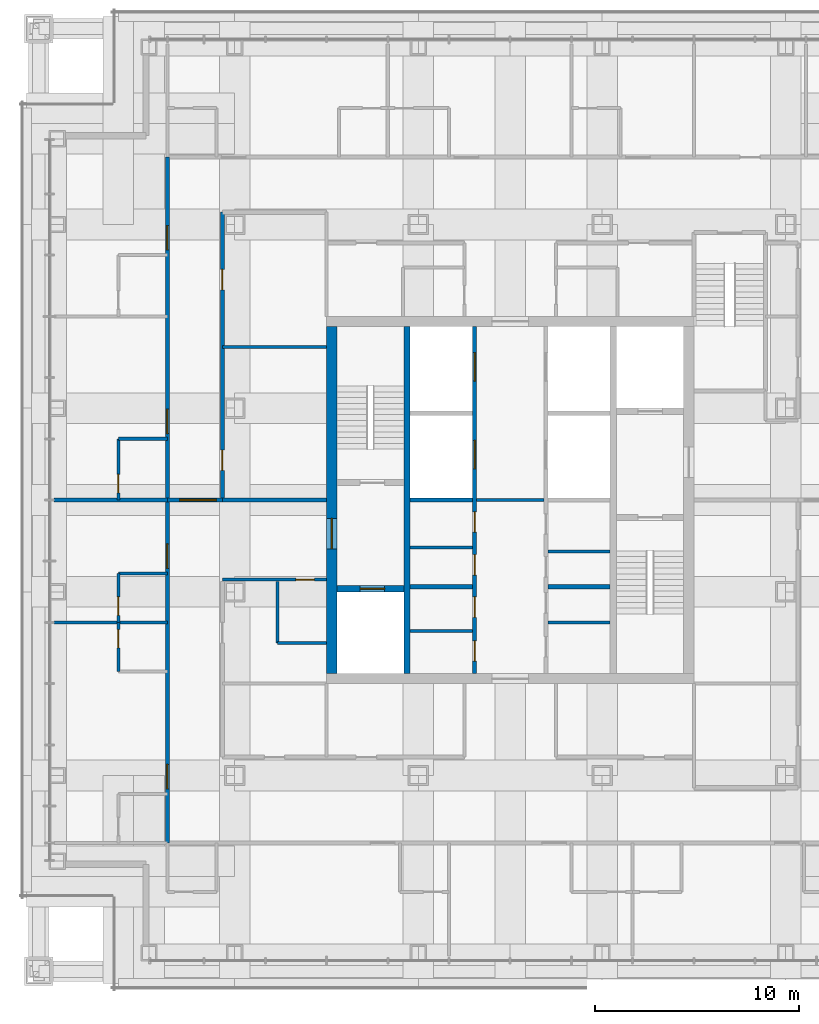
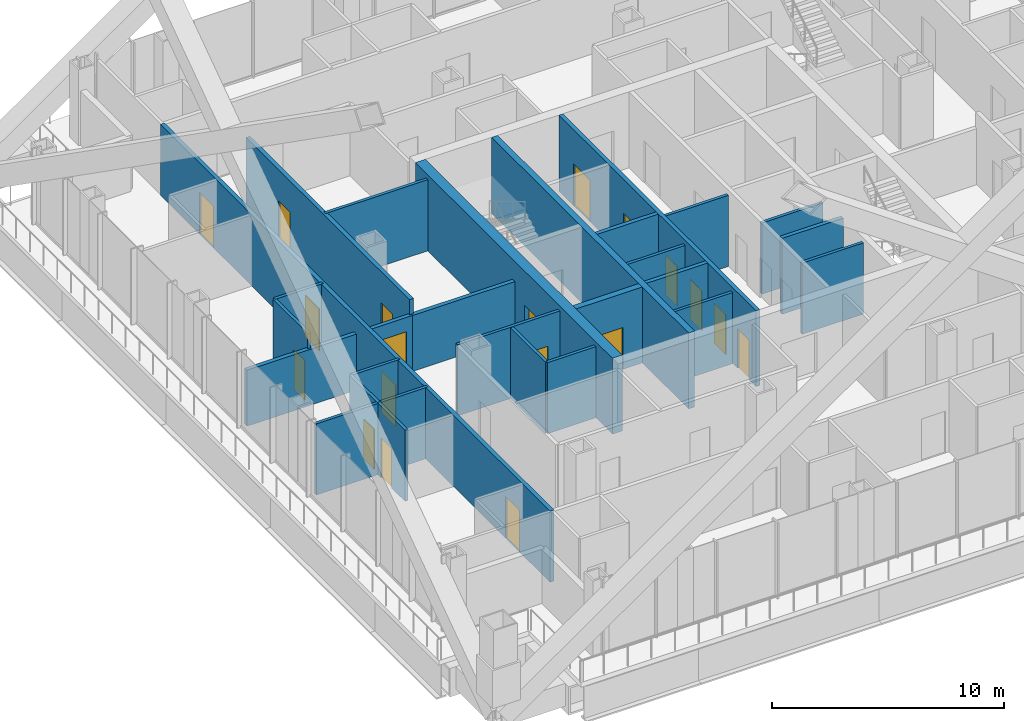
# One storey, part 12 of 18: 27 walls, 19 doors, 19 openings.
"""IFC4 building model written with IfcOpenShell, lengths in metres."""

from ifc_helpers import new_model, si_unit, direction, frame, frame_2d, origin, place, context, subcontext, project, spatial, rectangle, extrude, material, layer, layer_set, type_object, element, fill, save


model = new_model("IFC4")

# Units and contexts
model_context = context("Model", 3, precision=1e-05, world=origin(), true_north=direction((0.0, 1.0)))
body_context = subcontext(model_context, "Body", "Model", "MODEL_VIEW")
ifc_project = project(units=[si_unit("LENGTHUNIT", "METRE"), si_unit("AREAUNIT", "SQUARE_METRE"), si_unit("VOLUMEUNIT", "CUBIC_METRE"), si_unit("PLANEANGLEUNIT", "RADIAN"), si_unit("MASSUNIT", "GRAM", prefix="KILO")], contexts=[model_context])

# Site, building, storey
site_placement = place(None, origin())
site = spatial("IfcSite", under=ifc_project, at=site_placement, CompositionType="ELEMENT")
building_placement = place(site_placement, origin())
building = spatial("IfcBuilding", under=site, at=building_placement, Name="Malebo Sky Hospital", CompositionType="ELEMENT")
storey_placement = place(building_placement, frame((0.0, 0.0, 177.0)))
storey = spatial("IfcBuildingStorey", under=building, at=storey_placement, Name="L42", CompositionType="ELEMENT", Elevation=177.0)

# Wall, openings, doors
ifc_material_1 = material(Name="Concrete C80/95", Category="concrete")
ifc_layer_1 = layer(ifc_material_1, 0.199951171875)
ifc_layer_set_1 = layer_set([ifc_layer_1], Name="CORE INNER WALL 200")
wall_type_1 = type_object("IfcWallType", Name="CORE INNER WALL 200", PredefinedType="SHEAR", material=ifc_layer_set_1)
wall_1_placement = place(storey_placement, frame((58.25, 53.5, 0.0), z_axis=(0.0, 0.0, 1.0), x_axis=(0.0, 1.0, 0.0)))
wall_1 = element("IfcWall", 1, at=wall_1_placement, inside=storey, type_object=wall_type_1, Name="Core wall LW L42", PredefinedType="SHEAR", context=body_context, shape_type="SweptSolid", body=[
    extrude(rectangle(XDim=17.0, YDim=0.199951171875, at=frame_2d((8.5, 0.0))), origin(), (0.0, 0.0, 1.0), 4.0),
])
opening_1_placement = place(wall_1_placement, frame((0.60009765625, 0.0, 0.0)))
opening_1 = element("IfcOpeningElement", 2, at=opening_1_placement, cuts=wall_1, Name="Opening D17", PredefinedType="OPENING", context=body_context, shape_type="SweptSolid", body=[
    extrude(rectangle(XDim=1.0, YDim=2.10009765625, at=frame_2d((0.5, 1.050048828125))), frame((0.0, 0.10986328125, 0.0), z_axis=(0.0, -1.0, 0.0), x_axis=(1.0, 0.0, 0.0)), (0.0, 0.0, 1.0), 0.219970703125),
])
opening_2_placement = place(wall_1_placement, frame((2.75, 0.0, 0.0)))
opening_2 = element("IfcOpeningElement", 3, at=opening_2_placement, cuts=wall_1, Name="Opening D17", PredefinedType="OPENING", context=body_context, shape_type="SweptSolid", body=[
    extrude(rectangle(XDim=1.0, YDim=2.10009765625, at=frame_2d((0.5, 1.050048828125))), frame((0.0, 0.10986328125, 0.0), z_axis=(0.0, -1.0, 0.0), x_axis=(1.0, 0.0, 0.0)), (0.0, 0.0, 1.0), 0.219970703125),
])
opening_3_placement = place(wall_1_placement, frame((4.823974609375, 0.0, 0.0)))
opening_3 = element("IfcOpeningElement", 4, at=opening_3_placement, cuts=wall_1, Name="Opening D17", PredefinedType="OPENING", context=body_context, shape_type="SweptSolid", body=[
    extrude(rectangle(XDim=1.0, YDim=2.10009765625, at=frame_2d((0.5, 1.050048828125))), frame((0.0, 0.10986328125, 0.0), z_axis=(0.0, -1.0, 0.0), x_axis=(1.0, 0.0, 0.0)), (0.0, 0.0, 1.0), 0.219970703125),
])
opening_4_placement = place(wall_1_placement, frame((6.924072265625, 0.0, 0.0)))
opening_4 = element("IfcOpeningElement", 5, at=opening_4_placement, cuts=wall_1, Name="Opening D17", PredefinedType="OPENING", context=body_context, shape_type="SweptSolid", body=[
    extrude(rectangle(XDim=1.0, YDim=2.10009765625, at=frame_2d((0.5, 1.050048828125))), frame((0.0, 0.10986328125, 0.0), z_axis=(0.0, -1.0, 0.0), x_axis=(1.0, 0.0, 0.0)), (0.0, 0.0, 1.0), 0.219970703125),
])
opening_5_placement = place(wall_1_placement, frame((10.02490234375, 0.0, 0.0)))
opening_5 = element("IfcOpeningElement", 6, at=opening_5_placement, cuts=wall_1, Name="Opening LD1", PredefinedType="OPENING", context=body_context, shape_type="SweptSolid", body=[
    extrude(rectangle(XDim=1.39990234375, YDim=2.199951171875, at=frame_2d((0.699951171875, 1.10009765625))), frame((0.0, 0.10986328125, 0.0), z_axis=(0.0, -1.0, 0.0), x_axis=(1.0, 0.0, 0.0)), (0.0, 0.0, 1.0), 0.219970703125),
])
opening_6_placement = place(wall_1_placement, frame((14.324951171875, 0.0, 0.0)))
opening_6 = element("IfcOpeningElement", 7, at=opening_6_placement, cuts=wall_1, Name="Opening LD1", PredefinedType="OPENING", context=body_context, shape_type="SweptSolid", body=[
    extrude(rectangle(XDim=1.39990234375, YDim=2.199951171875, at=frame_2d((0.699951171875, 1.10009765625))), frame((0.0, 0.10986328125, 0.0), z_axis=(0.0, -1.0, 0.0), x_axis=(1.0, 0.0, 0.0)), (0.0, 0.0, 1.0), 0.219970703125),
])
ifc_material_2 = material(Name="Hardwood-faced door leaf in steel frame", Category="steel")
door_type_1 = type_object("IfcDoorType", Name="FIRE DOOR 1000", OperationType="SINGLE_SWING_LEFT", PredefinedType="DOOR", material=ifc_material_2)
door_1_placement = place(opening_1_placement, origin())
door_1 = element("IfcDoor", 8, at=door_1_placement, inside=storey, type_object=door_type_1, Name="Equipment store door", OperationType="SINGLE_SWING_RIGHT", OverallHeight=2.10009765625, OverallWidth=1.0, PredefinedType="DOOR", context=body_context, shape_type="SweptSolid", body=[
    extrude(rectangle(XDim=1.0, YDim=2.10009765625, at=frame_2d((0.5, 1.050048828125))), frame((0.0, 0.02490234375, 0.0), z_axis=(0.0, -1.0, 0.0), x_axis=(1.0, 0.0, 0.0)), (0.0, 0.0, 1.0), 0.050048828125),
])
fill(opening_1, door_1)
door_2_placement = place(opening_2_placement, origin())
door_2 = element("IfcDoor", 9, at=door_2_placement, inside=storey, type_object=door_type_1, Name="Linen store door", OperationType="SINGLE_SWING_RIGHT", OverallHeight=2.10009765625, OverallWidth=1.0, PredefinedType="DOOR", context=body_context, shape_type="SweptSolid", body=[
    extrude(rectangle(XDim=1.0, YDim=2.10009765625, at=frame_2d((0.5, 1.050048828125))), frame((0.0, 0.02490234375, 0.0), z_axis=(0.0, -1.0, 0.0), x_axis=(1.0, 0.0, 0.0)), (0.0, 0.0, 1.0), 0.050048828125),
])
fill(opening_2, door_2)
door_3_placement = place(opening_3_placement, origin())
door_3 = element("IfcDoor", 10, at=door_3_placement, inside=storey, type_object=door_type_1, Name="Supplies store door", OperationType="SINGLE_SWING_RIGHT", OverallHeight=2.10009765625, OverallWidth=1.0, PredefinedType="DOOR", context=body_context, shape_type="SweptSolid", body=[
    extrude(rectangle(XDim=1.0, YDim=2.10009765625, at=frame_2d((0.5, 1.050048828125))), frame((0.0, 0.02490234375, 0.0), z_axis=(0.0, -1.0, 0.0), x_axis=(1.0, 0.0, 0.0)), (0.0, 0.0, 1.0), 0.050048828125),
])
fill(opening_3, door_3)
door_4_placement = place(opening_4_placement, origin())
door_4 = element("IfcDoor", 11, at=door_4_placement, inside=storey, type_object=door_type_1, Name="Mattress store door", OperationType="SINGLE_SWING_RIGHT", OverallHeight=2.10009765625, OverallWidth=1.0, PredefinedType="DOOR", context=body_context, shape_type="SweptSolid", body=[
    extrude(rectangle(XDim=1.0, YDim=2.10009765625, at=frame_2d((0.5, 1.050048828125))), frame((0.0, 0.02490234375, 0.0), z_axis=(0.0, -1.0, 0.0), x_axis=(1.0, 0.0, 0.0)), (0.0, 0.0, 1.0), 0.050048828125),
])
fill(opening_4, door_4)
ifc_material_3 = material(Name="Stainless steel sliding landing door", Category="steel")
door_type_2 = type_object("IfcDoorType", Name="LIFT LANDING DOOR 1400", OperationType="SLIDING_TO_LEFT", PredefinedType="DOOR", material=ifc_material_3)
door_5_placement = place(opening_5_placement, origin())
door_5 = element("IfcDoor", 12, at=door_5_placement, inside=storey, type_object=door_type_2, Name="Lift W3 landing door", OperationType="SLIDING_TO_LEFT", OverallHeight=2.199951171875, OverallWidth=1.39990234375, PredefinedType="DOOR", context=body_context, shape_type="SweptSolid", body=[
    extrude(rectangle(XDim=1.39990234375, YDim=2.199951171875, at=frame_2d((0.699951171875, 1.10009765625))), frame((0.0, 0.02490234375, 0.0), z_axis=(0.0, -1.0, 0.0), x_axis=(1.0, 0.0, 0.0)), (0.0, 0.0, 1.0), 0.050048828125),
])
fill(opening_5, door_5)
door_6_placement = place(opening_6_placement, origin())
door_6 = element("IfcDoor", 13, at=door_6_placement, inside=storey, type_object=door_type_2, Name="Lift W4 landing door", OperationType="SLIDING_TO_LEFT", OverallHeight=2.199951171875, OverallWidth=1.39990234375, PredefinedType="DOOR", context=body_context, shape_type="SweptSolid", body=[
    extrude(rectangle(XDim=1.39990234375, YDim=2.199951171875, at=frame_2d((0.699951171875, 1.10009765625))), frame((0.0, 0.02490234375, 0.0), z_axis=(0.0, -1.0, 0.0), x_axis=(1.0, 0.0, 0.0)), (0.0, 0.0, 1.0), 0.050048828125),
])
fill(opening_6, door_6)

# Walls
for number, where, z_axis, x_axis, name in (
    (14, (55.10009765625, 57.75, 0.0), (0.0, 0.0, 1.0), (1.0, 0.0, 0.0), "Core wall SW0 L42"),
    (15, (61.85009765625, 57.75, 0.0), (0.0, 0.0, 1.0), (1.0, 0.0, 0.0), "Core wall SE0 L42"),
    (16, (55.10009765625, 62.0, 0.0), (0.0, 0.0, 1.0), (1.0, 0.0, 0.0), "Core wall SW1 L42"),
):
    element("IfcWall", number, at=place(storey_placement, frame(where, z_axis=z_axis, x_axis=x_axis)), inside=storey, type_object=wall_type_1, Name=name, PredefinedType="SHEAR", context=body_context, shape_type="SweptSolid", body=[
        extrude(rectangle(XDim=3.0498046875, YDim=0.199951171875, at=frame_2d((1.52490234375, 0.0))), origin(), (0.0, 0.0, 1.0), 4.0),
    ])
ifc_layer_2 = layer(ifc_material_1, 0.300048828125)
ifc_layer_set_2 = layer_set([ifc_layer_2], Name="CORE INNER WALL 300")
wall_type_2 = type_object("IfcWallType", Name="CORE INNER WALL 300", PredefinedType="SHEAR", material=ifc_layer_set_2)
wall_2_placement = place(storey_placement, frame((54.949951171875, 53.5, 0.0), z_axis=(0.0, 0.0, 1.0), x_axis=(0.0, 1.0, 0.0)))
element("IfcWall", 17, at=wall_2_placement, inside=storey, type_object=wall_type_2, Name="Core wall XW L42", PredefinedType="SHEAR", context=body_context, shape_type="SweptSolid", body=[
    extrude(rectangle(XDim=17.0, YDim=0.300048828125, at=frame_2d((8.5, 0.0))), origin(), (0.0, 0.0, 1.0), 4.0),
])

# Wall, opening, door
wall_3_placement = place(storey_placement, frame((51.5, 57.64990234375, 0.0), z_axis=(0.0, 0.0, 1.0), x_axis=(1.0, 0.0, 0.0)))
wall_3 = element("IfcWall", 18, at=wall_3_placement, inside=storey, type_object=wall_type_2, Name="Core wall W2 L42", PredefinedType="SHEAR", context=body_context, shape_type="SweptSolid", body=[
    extrude(rectangle(XDim=3.300048828125, YDim=0.300048828125, at=frame_2d((1.64990234375, 0.0))), origin(), (0.0, 0.0, 1.0), 4.0),
])
opening_7_placement = place(wall_3_placement, frame((1.14990234375, 0.0, 0.0)))
opening_7 = element("IfcOpeningElement", 19, at=opening_7_placement, cuts=wall_3, Name="Opening LD2", PredefinedType="OPENING", context=body_context, shape_type="SweptSolid", body=[
    extrude(rectangle(XDim=1.199951171875, YDim=2.199951171875, at=frame_2d((0.60009765625, 1.10009765625))), frame((0.0, 0.159912109375, 0.0), z_axis=(0.0, -1.0, 0.0), x_axis=(1.0, 0.0, 0.0)), (0.0, 0.0, 1.0), 0.320068359375),
])
door_type_3 = type_object("IfcDoorType", Name="FIRE-FIGHTING LIFT LANDING DOOR 1200", OperationType="SLIDING_TO_LEFT", PredefinedType="DOOR", material=ifc_material_3)
door_7_placement = place(opening_7_placement, origin())
door_7 = element("IfcDoor", 20, at=door_7_placement, inside=storey, type_object=door_type_3, Name="Lift FL1 landing door", OperationType="SLIDING_TO_LEFT", OverallHeight=2.199951171875, OverallWidth=1.199951171875, PredefinedType="DOOR", context=body_context, shape_type="SweptSolid", body=[
    extrude(rectangle(XDim=1.199951171875, YDim=2.199951171875, at=frame_2d((0.60009765625, 1.10009765625))), frame((0.0, 0.02490234375, 0.0), z_axis=(0.0, -1.0, 0.0), x_axis=(1.0, 0.0, 0.0)), (0.0, 0.0, 1.0), 0.050048828125),
])
fill(opening_7, door_7)

ifc_layer_3 = layer(ifc_material_1, 0.5)
ifc_layer_set_3 = layer_set([ifc_layer_3], Name="CORE WALL 500")
wall_type_3 = type_object("IfcWallType", Name="CORE WALL 500", PredefinedType="SHEAR", material=ifc_layer_set_3)
wall_4_placement = place(storey_placement, frame((51.25, 53.5, 0.0), z_axis=(0.0, 0.0, 1.0), x_axis=(0.0, 1.0, 0.0)))
wall_4 = element("IfcWall", 21, at=wall_4_placement, inside=storey, type_object=wall_type_3, Name="Core wall W L42", PredefinedType="SHEAR", context=body_context, shape_type="SweptSolid", body=[
    extrude(rectangle(XDim=17.0, YDim=0.5, at=frame_2d((8.5, 0.0))), origin(), (0.0, 0.0, 1.0), 4.0),
])
opening_8_placement = place(wall_4_placement, frame((6.10009765625, 0.0, 0.0)))
opening_8 = element("IfcOpeningElement", 22, at=opening_8_placement, cuts=wall_4, Name="Opening D07", PredefinedType="OPENING", context=body_context, shape_type="SweptSolid", body=[
    extrude(rectangle(XDim=1.5, YDim=2.199951171875, at=frame_2d((0.75, 1.10009765625))), frame((0.0, 0.260009765625, 0.0), z_axis=(0.0, -1.0, 0.0), x_axis=(1.0, 0.0, 0.0)), (0.0, 0.0, 1.0), 0.52001953125),
])
door_type_4 = type_object("IfcDoorType", Name="FIRE-FIGHTING LOBBY DOOR PAIR 1500", OperationType="DOUBLE_DOOR_SINGLE_SWING", PredefinedType="DOOR", material=ifc_material_2)
door_8_placement = place(opening_8_placement, origin())
door_8 = element("IfcDoor", 23, at=door_8_placement, inside=storey, type_object=door_type_4, Name="Fire-fighting lobby door west", OperationType="DOUBLE_DOOR_SINGLE_SWING", OverallHeight=2.199951171875, OverallWidth=1.5, PredefinedType="DOOR", context=body_context, shape_type="SweptSolid", body=[
    extrude(rectangle(XDim=1.5, YDim=2.199951171875, at=frame_2d((0.75, 1.10009765625))), frame((0.0, 0.02490234375, 0.0), z_axis=(0.0, -1.0, 0.0), x_axis=(1.0, 0.0, 0.0)), (0.0, 0.0, 1.0), 0.050048828125),
])
fill(opening_8, door_8)

# Wall, openings, doors
ifc_material_4 = material(Name="Gypsum board on steel studs", Category="steel")
ifc_layer_4 = layer(ifc_material_4, 0.199951171875)
ifc_layer_set_4 = layer_set([ifc_layer_4], Name="CORRIDOR WALL 200")
wall_type_4 = type_object("IfcWallType", Name="CORRIDOR WALL 200", PredefinedType="PARTITIONING", material=ifc_layer_set_4)
wall_5_placement = place(storey_placement, frame((43.199951171875, 45.199951171875, 0.0), z_axis=(0.0, 0.0, 1.0), x_axis=(0.0, 1.0, 0.0)))
wall_5 = element("IfcWall", 24, at=wall_5_placement, inside=storey, type_object=wall_type_4, Name="Corridor Wall 200 WCO", PredefinedType="PARTITIONING", context=body_context, shape_type="SweptSolid", body=[
    extrude(rectangle(XDim=33.60009765625, YDim=0.199951171875, at=frame_2d((16.800048828125, 0.0))), origin(), (0.0, 0.0, 1.0), 3.75),
])
opening_9_placement = place(wall_5_placement, frame((2.64990234375, 0.0, 0.0)))
opening_9 = element("IfcOpeningElement", 25, at=opening_9_placement, cuts=wall_5, Name="Opening D01", PredefinedType="OPENING", context=body_context, shape_type="SweptSolid", body=[
    extrude(rectangle(XDim=1.199951171875, YDim=2.199951171875, at=frame_2d((0.60009765625, 1.10009765625))), frame((0.0, 0.10986328125, 0.0), z_axis=(0.0, -1.0, 0.0), x_axis=(1.0, 0.0, 0.0)), (0.0, 0.0, 1.0), 0.219970703125),
])
opening_10_placement = place(wall_5_placement, frame((13.449951171875, 0.0, 0.0)))
opening_10 = element("IfcOpeningElement", 26, at=opening_10_placement, cuts=wall_5, Name="Opening D01", PredefinedType="OPENING", context=body_context, shape_type="SweptSolid", body=[
    extrude(rectangle(XDim=1.199951171875, YDim=2.199951171875, at=frame_2d((0.60009765625, 1.10009765625))), frame((0.0, 0.10986328125, 0.0), z_axis=(0.0, -1.0, 0.0), x_axis=(1.0, 0.0, 0.0)), (0.0, 0.0, 1.0), 0.219970703125),
])
opening_11_placement = place(wall_5_placement, frame((20.050048828125, 0.0, 0.0)))
opening_11 = element("IfcOpeningElement", 27, at=opening_11_placement, cuts=wall_5, Name="Opening D01", PredefinedType="OPENING", context=body_context, shape_type="SweptSolid", body=[
    extrude(rectangle(XDim=1.199951171875, YDim=2.199951171875, at=frame_2d((0.60009765625, 1.10009765625))), frame((0.0, 0.10986328125, 0.0), z_axis=(0.0, -1.0, 0.0), x_axis=(1.0, 0.0, 0.0)), (0.0, 0.0, 1.0), 0.219970703125),
])
opening_12_placement = place(wall_5_placement, frame((29.050048828125, 0.0, 0.0)))
opening_12 = element("IfcOpeningElement", 28, at=opening_12_placement, cuts=wall_5, Name="Opening D01", PredefinedType="OPENING", context=body_context, shape_type="SweptSolid", body=[
    extrude(rectangle(XDim=1.199951171875, YDim=2.199951171875, at=frame_2d((0.60009765625, 1.10009765625))), frame((0.0, 0.10986328125, 0.0), z_axis=(0.0, -1.0, 0.0), x_axis=(1.0, 0.0, 0.0)), (0.0, 0.0, 1.0), 0.219970703125),
])
door_type_5 = type_object("IfcDoorType", Name="BED DOOR 1200", OperationType="SINGLE_SWING_LEFT", PredefinedType="DOOR", material=ifc_material_2)
door_9_placement = place(opening_9_placement, origin())
door_9 = element("IfcDoor", 29, at=door_9_placement, inside=storey, type_object=door_type_5, Name="Four-bed bay door", OperationType="SINGLE_SWING_LEFT", OverallHeight=2.199951171875, OverallWidth=1.199951171875, PredefinedType="DOOR", context=body_context, shape_type="SweptSolid", body=[
    extrude(rectangle(XDim=1.199951171875, YDim=2.199951171875, at=frame_2d((0.60009765625, 1.10009765625))), frame((0.0, 0.02490234375, 0.0), z_axis=(0.0, -1.0, 0.0), x_axis=(1.0, 0.0, 0.0)), (0.0, 0.0, 1.0), 0.050048828125),
])
fill(opening_9, door_9)
door_10_placement = place(opening_10_placement, origin())
door_10 = element("IfcDoor", 30, at=door_10_placement, inside=storey, type_object=door_type_5, Name="Single bed room door", OperationType="SINGLE_SWING_LEFT", OverallHeight=2.199951171875, OverallWidth=1.199951171875, PredefinedType="DOOR", context=body_context, shape_type="SweptSolid", body=[
    extrude(rectangle(XDim=1.199951171875, YDim=2.199951171875, at=frame_2d((0.60009765625, 1.10009765625))), frame((0.0, 0.02490234375, 0.0), z_axis=(0.0, -1.0, 0.0), x_axis=(1.0, 0.0, 0.0)), (0.0, 0.0, 1.0), 0.050048828125),
])
fill(opening_10, door_10)
door_11_placement = place(opening_11_placement, origin())
door_11 = element("IfcDoor", 31, at=door_11_placement, inside=storey, type_object=door_type_5, Name="Two-bed room door", OperationType="SINGLE_SWING_LEFT", OverallHeight=2.199951171875, OverallWidth=1.199951171875, PredefinedType="DOOR", context=body_context, shape_type="SweptSolid", body=[
    extrude(rectangle(XDim=1.199951171875, YDim=2.199951171875, at=frame_2d((0.60009765625, 1.10009765625))), frame((0.0, 0.02490234375, 0.0), z_axis=(0.0, -1.0, 0.0), x_axis=(1.0, 0.0, 0.0)), (0.0, 0.0, 1.0), 0.050048828125),
])
fill(opening_11, door_11)
door_12_placement = place(opening_12_placement, origin())
door_12 = element("IfcDoor", 32, at=door_12_placement, inside=storey, type_object=door_type_5, Name="Two-bed room door", OperationType="SINGLE_SWING_LEFT", OverallHeight=2.199951171875, OverallWidth=1.199951171875, PredefinedType="DOOR", context=body_context, shape_type="SweptSolid", body=[
    extrude(rectangle(XDim=1.199951171875, YDim=2.199951171875, at=frame_2d((0.60009765625, 1.10009765625))), frame((0.0, 0.02490234375, 0.0), z_axis=(0.0, -1.0, 0.0), x_axis=(1.0, 0.0, 0.0)), (0.0, 0.0, 1.0), 0.050048828125),
])
fill(opening_12, door_12)

wall_6_placement = place(storey_placement, frame((45.89990234375, 62.0, 0.0), z_axis=(0.0, 0.0, 1.0), x_axis=(0.0, 1.0, 0.0)))
wall_6 = element("IfcWall", 33, at=wall_6_placement, inside=storey, type_object=wall_type_4, Name="Corridor Wall 200 WCI2", PredefinedType="PARTITIONING", context=body_context, shape_type="SweptSolid", body=[
    extrude(rectangle(XDim=14.10009765625, YDim=0.199951171875, at=frame_2d((7.050048828125, 0.0))), origin(), (0.0, 0.0, 1.0), 3.75),
])
opening_13_placement = place(wall_6_placement, frame((1.449951171875, 0.0, 0.0)))
opening_13 = element("IfcOpeningElement", 34, at=opening_13_placement, cuts=wall_6, Name="Opening D03", PredefinedType="OPENING", context=body_context, shape_type="SweptSolid", body=[
    extrude(rectangle(XDim=1.0, YDim=2.10009765625, at=frame_2d((0.5, 1.050048828125))), frame((0.0, 0.10986328125, 0.0), z_axis=(0.0, -1.0, 0.0), x_axis=(1.0, 0.0, 0.0)), (0.0, 0.0, 1.0), 0.219970703125),
])
opening_14_placement = place(wall_6_placement, frame((10.300048828125, 0.0, 0.0)))
opening_14 = element("IfcOpeningElement", 35, at=opening_14_placement, cuts=wall_6, Name="Opening D03", PredefinedType="OPENING", context=body_context, shape_type="SweptSolid", body=[
    extrude(rectangle(XDim=1.0, YDim=2.10009765625, at=frame_2d((0.5, 1.050048828125))), frame((0.0, 0.10986328125, 0.0), z_axis=(0.0, -1.0, 0.0), x_axis=(1.0, 0.0, 0.0)), (0.0, 0.0, 1.0), 0.219970703125),
])
door_type_6 = type_object("IfcDoorType", Name="ROOM DOOR 1000", OperationType="SINGLE_SWING_LEFT", PredefinedType="DOOR", material=ifc_material_2)
door_13_placement = place(opening_13_placement, origin())
door_13 = element("IfcDoor", 36, at=door_13_placement, inside=storey, type_object=door_type_6, Name="Staff rest room door", OperationType="SINGLE_SWING_LEFT", OverallHeight=2.10009765625, OverallWidth=1.0, PredefinedType="DOOR", context=body_context, shape_type="SweptSolid", body=[
    extrude(rectangle(XDim=1.0, YDim=2.10009765625, at=frame_2d((0.5, 1.050048828125))), frame((0.0, 0.02490234375, 0.0), z_axis=(0.0, -1.0, 0.0), x_axis=(1.0, 0.0, 0.0)), (0.0, 0.0, 1.0), 0.050048828125),
])
fill(opening_13, door_13)
door_14_placement = place(opening_14_placement, origin())
door_14 = element("IfcDoor", 37, at=door_14_placement, inside=storey, type_object=door_type_6, Name="Interview room door", OperationType="SINGLE_SWING_RIGHT", OverallHeight=2.10009765625, OverallWidth=1.0, PredefinedType="DOOR", context=body_context, shape_type="SweptSolid", body=[
    extrude(rectangle(XDim=1.0, YDim=2.10009765625, at=frame_2d((0.5, 1.050048828125))), frame((0.0, 0.02490234375, 0.0), z_axis=(0.0, -1.0, 0.0), x_axis=(1.0, 0.0, 0.0)), (0.0, 0.0, 1.0), 0.050048828125),
])
fill(opening_14, door_14)

# Wall
ifc_layer_5 = layer(ifc_material_4, 0.14990234375)
ifc_layer_set_5 = layer_set([ifc_layer_5], Name="PARTITION 150")
wall_type_5 = type_object("IfcWallType", Name="PARTITION 150", PredefinedType="PARTITIONING", material=ifc_layer_set_5)
wall_7_placement = place(storey_placement, frame((43.199951171875, 56.0, 0.0), z_axis=(0.0, 0.0, 1.0), x_axis=(-1.0, 0.0, 0.0)))
element("IfcWall", 38, at=wall_7_placement, inside=storey, type_object=wall_type_5, Name="Partition 150 WP-6.0", PredefinedType="PARTITIONING", context=body_context, shape_type="SweptSolid", body=[
    extrude(rectangle(XDim=5.550048828125, YDim=0.14990234375, at=frame_2d((2.77490234375, 0.0))), origin(), (0.0, 0.0, 1.0), 3.75),
])

# Wall, opening, door
wall_8_placement = place(storey_placement, frame((40.800048828125, 53.60009765625, 0.0), z_axis=(0.0, 0.0, 1.0), x_axis=(0.0, 1.0, 0.0)))
wall_8 = element("IfcWall", 39, at=wall_8_placement, inside=storey, type_object=wall_type_5, Name="Partition 150 WG0F", PredefinedType="PARTITIONING", context=body_context, shape_type="SweptSolid", body=[
    extrude(rectangle(XDim=2.39990234375, YDim=0.14990234375, at=frame_2d((1.199951171875, 0.0))), origin(), (0.0, 0.0, 1.0), 3.75),
])
opening_15_placement = place(wall_8_placement, frame((1.14990234375, 0.0, 0.0)))
opening_15 = element("IfcOpeningElement", 40, at=opening_15_placement, cuts=wall_8, Name="Opening D02", PredefinedType="OPENING", context=body_context, shape_type="SweptSolid", body=[
    extrude(rectangle(XDim=0.89990234375, YDim=2.10009765625, at=frame_2d((0.449951171875, 1.050048828125))), frame((0.0, 0.0849609375, 0.0), z_axis=(0.0, -1.0, 0.0), x_axis=(1.0, 0.0, 0.0)), (0.0, 0.0, 1.0), 0.169921875),
])
door_type_7 = type_object("IfcDoorType", Name="EN-SUITE DOOR 900", OperationType="SINGLE_SWING_LEFT", PredefinedType="DOOR", material=ifc_material_2)
door_15_placement = place(opening_15_placement, origin())
door_15 = element("IfcDoor", 41, at=door_15_placement, inside=storey, type_object=door_type_7, Name="En-suite door", OperationType="SINGLE_SWING_RIGHT", OverallHeight=2.10009765625, OverallWidth=0.89990234375, PredefinedType="DOOR", context=body_context, shape_type="SweptSolid", body=[
    extrude(rectangle(XDim=0.89990234375, YDim=2.10009765625, at=frame_2d((0.449951171875, 1.050048828125))), frame((0.0, 0.02490234375, 0.0), z_axis=(0.0, -1.0, 0.0), x_axis=(1.0, 0.0, 0.0)), (0.0, 0.0, 1.0), 0.050048828125),
])
fill(opening_15, door_15)

wall_9_placement = place(storey_placement, frame((40.800048828125, 56.0, 0.0), z_axis=(0.0, 0.0, 1.0), x_axis=(0.0, 1.0, 0.0)))
wall_9 = element("IfcWall", 42, at=wall_9_placement, inside=storey, type_object=wall_type_5, Name="Partition 150 WE1F", PredefinedType="PARTITIONING", context=body_context, shape_type="SweptSolid", body=[
    extrude(rectangle(XDim=2.39990234375, YDim=0.14990234375, at=frame_2d((1.199951171875, 0.0))), origin(), (0.0, 0.0, 1.0), 3.75),
])
opening_16_placement = place(wall_9_placement, frame((0.35009765625, 0.0, 0.0)))
opening_16 = element("IfcOpeningElement", 43, at=opening_16_placement, cuts=wall_9, Name="Opening D02", PredefinedType="OPENING", context=body_context, shape_type="SweptSolid", body=[
    extrude(rectangle(XDim=0.89990234375, YDim=2.10009765625, at=frame_2d((0.449951171875, 1.050048828125))), frame((0.0, 0.0849609375, 0.0), z_axis=(0.0, -1.0, 0.0), x_axis=(1.0, 0.0, 0.0)), (0.0, 0.0, 1.0), 0.169921875),
])
door_16_placement = place(opening_16_placement, origin())
door_16 = element("IfcDoor", 44, at=door_16_placement, inside=storey, type_object=door_type_7, Name="En-suite door", OperationType="SINGLE_SWING_LEFT", OverallHeight=2.10009765625, OverallWidth=0.89990234375, PredefinedType="DOOR", context=body_context, shape_type="SweptSolid", body=[
    extrude(rectangle(XDim=0.89990234375, YDim=2.10009765625, at=frame_2d((0.449951171875, 1.050048828125))), frame((0.0, 0.02490234375, 0.0), z_axis=(0.0, -1.0, 0.0), x_axis=(1.0, 0.0, 0.0)), (0.0, 0.0, 1.0), 0.050048828125),
])
fill(opening_16, door_16)

# Wall
wall_10_placement = place(storey_placement, frame((43.199951171875, 58.39990234375, 0.0), z_axis=(0.0, 0.0, 1.0), x_axis=(-1.0, 0.0, 0.0)))
element("IfcWall", 45, at=wall_10_placement, inside=storey, type_object=wall_type_5, Name="Partition 150 WE1S", PredefinedType="PARTITIONING", context=body_context, shape_type="SweptSolid", body=[
    extrude(rectangle(XDim=2.39990234375, YDim=0.14990234375, at=frame_2d((1.199951171875, 0.0))), origin(), (0.0, 0.0, 1.0), 3.75),
])

# Wall, opening, door
wall_11_placement = place(storey_placement, frame((40.800048828125, 62.0, 0.0), z_axis=(0.0, 0.0, 1.0), x_axis=(0.0, 1.0, 0.0)))
wall_11 = element("IfcWall", 46, at=wall_11_placement, inside=storey, type_object=wall_type_5, Name="Partition 150 WE2F", PredefinedType="PARTITIONING", context=body_context, shape_type="SweptSolid", body=[
    extrude(rectangle(XDim=3.0, YDim=0.14990234375, at=frame_2d((1.5, 0.0))), origin(), (0.0, 0.0, 1.0), 3.75),
])
opening_17_placement = place(wall_11_placement, frame((0.35009765625, 0.0, 0.0)))
opening_17 = element("IfcOpeningElement", 47, at=opening_17_placement, cuts=wall_11, Name="Opening D02", PredefinedType="OPENING", context=body_context, shape_type="SweptSolid", body=[
    extrude(rectangle(XDim=0.89990234375, YDim=2.10009765625, at=frame_2d((0.449951171875, 1.050048828125))), frame((0.0, 0.0849609375, 0.0), z_axis=(0.0, -1.0, 0.0), x_axis=(1.0, 0.0, 0.0)), (0.0, 0.0, 1.0), 0.169921875),
])
door_17_placement = place(opening_17_placement, origin())
door_17 = element("IfcDoor", 48, at=door_17_placement, inside=storey, type_object=door_type_7, Name="En-suite door", OperationType="SINGLE_SWING_LEFT", OverallHeight=2.10009765625, OverallWidth=0.89990234375, PredefinedType="DOOR", context=body_context, shape_type="SweptSolid", body=[
    extrude(rectangle(XDim=0.89990234375, YDim=2.10009765625, at=frame_2d((0.449951171875, 1.050048828125))), frame((0.0, 0.02490234375, 0.0), z_axis=(0.0, -1.0, 0.0), x_axis=(1.0, 0.0, 0.0)), (0.0, 0.0, 1.0), 0.050048828125),
])
fill(opening_17, door_17)

# Wall
wall_12_placement = place(storey_placement, frame((43.199951171875, 65.0, 0.0), z_axis=(0.0, 0.0, 1.0), x_axis=(-1.0, 0.0, 0.0)))
element("IfcWall", 49, at=wall_12_placement, inside=storey, type_object=wall_type_5, Name="Partition 150 WE2S", PredefinedType="PARTITIONING", context=body_context, shape_type="SweptSolid", body=[
    extrude(rectangle(XDim=2.39990234375, YDim=0.14990234375, at=frame_2d((1.199951171875, 0.0))), origin(), (0.0, 0.0, 1.0), 3.75),
])

# Wall, opening, door
wall_13_placement = place(storey_placement, frame((51.0, 58.10009765625, 0.0), z_axis=(0.0, 0.0, 1.0), x_axis=(-1.0, 0.0, 0.0)))
wall_13 = element("IfcWall", 50, at=wall_13_placement, inside=storey, type_object=wall_type_5, Name="Partition 150 WSPA", PredefinedType="PARTITIONING", context=body_context, shape_type="SweptSolid", body=[
    extrude(rectangle(XDim=5.10009765625, YDim=0.14990234375, at=frame_2d((2.550048828125, 0.0))), origin(), (0.0, 0.0, 1.0), 3.75),
])
opening_18_placement = place(wall_13_placement, frame((0.60009765625, 0.0, 0.0)))
opening_18 = element("IfcOpeningElement", 51, at=opening_18_placement, cuts=wall_13, Name="Opening D04", PredefinedType="OPENING", context=body_context, shape_type="SweptSolid", body=[
    extrude(rectangle(XDim=0.89990234375, YDim=2.10009765625, at=frame_2d((0.449951171875, 1.050048828125))), frame((0.0, 0.0849609375, 0.0), z_axis=(0.0, -1.0, 0.0), x_axis=(1.0, 0.0, 0.0)), (0.0, 0.0, 1.0), 0.169921875),
])
door_type_8 = type_object("IfcDoorType", Name="ROOM DOOR 900", OperationType="SINGLE_SWING_LEFT", PredefinedType="DOOR", material=ifc_material_2)
door_18_placement = place(opening_18_placement, origin())
door_18 = element("IfcDoor", 52, at=door_18_placement, inside=storey, type_object=door_type_8, Name="Cleaner's room door", OperationType="SINGLE_SWING_LEFT", OverallHeight=2.10009765625, OverallWidth=0.89990234375, PredefinedType="DOOR", context=body_context, shape_type="SweptSolid", body=[
    extrude(rectangle(XDim=0.89990234375, YDim=2.10009765625, at=frame_2d((0.449951171875, 1.050048828125))), frame((0.0, 0.02490234375, 0.0), z_axis=(0.0, -1.0, 0.0), x_axis=(1.0, 0.0, 0.0)), (0.0, 0.0, 1.0), 0.050048828125),
])
fill(opening_18, door_18)

# Walls
wall_14_placement = place(storey_placement, frame((51.0, 69.5, 0.0), z_axis=(0.0, 0.0, 1.0), x_axis=(-1.0, 0.0, 0.0)))
element("IfcWall", 53, at=wall_14_placement, inside=storey, type_object=wall_type_5, Name="Partition 150 WSP+7.5", PredefinedType="PARTITIONING", context=body_context, shape_type="SweptSolid", body=[
    extrude(rectangle(XDim=5.10009765625, YDim=0.14990234375, at=frame_2d((2.550048828125, 0.0))), origin(), (0.0, 0.0, 1.0), 3.75),
])
wall_15_placement = place(storey_placement, frame((48.60009765625, 55.0, 0.0), z_axis=(0.0, 0.0, 1.0), x_axis=(0.0, 1.0, 0.0)))
element("IfcWall", 54, at=wall_15_placement, inside=storey, type_object=wall_type_5, Name="Partition 150 WSX0", PredefinedType="PARTITIONING", context=body_context, shape_type="SweptSolid", body=[
    extrude(rectangle(XDim=3.0, YDim=0.14990234375, at=frame_2d((1.5, 0.0))), origin(), (0.0, 0.0, 1.0), 3.75),
])
wall_16_placement = place(storey_placement, frame((51.0, 55.0, 0.0), z_axis=(0.0, 0.0, 1.0), x_axis=(-1.0, 0.0, 0.0)))
element("IfcWall", 55, at=wall_16_placement, inside=storey, type_object=wall_type_5, Name="Partition 150 WSY0", PredefinedType="PARTITIONING", context=body_context, shape_type="SweptSolid", body=[
    extrude(rectangle(XDim=2.39990234375, YDim=0.14990234375, at=frame_2d((1.199951171875, 0.0))), origin(), (0.0, 0.0, 1.0), 3.75),
])
for number, where, z_axis, x_axis, name in (
    (56, (55.10009765625, 55.574951171875, 0.0), (0.0, 0.0, 1.0), (1.0, 0.0, 0.0), "Partition 150 SHW1"),
    (57, (61.85009765625, 55.989990234375, 0.0), (0.0, 0.0, 1.0), (1.0, 0.0, 0.0), "Partition 150 SHE1"),
    (58, (55.10009765625, 59.673095703125, 0.0), (0.0, 0.0, 1.0), (1.0, 0.0, 0.0), "Partition 150 SHW2"),
    (59, (61.85009765625, 59.469970703125, 0.0), (0.0, 0.0, 1.0), (1.0, 0.0, 0.0), "Partition 150 SHE2"),
):
    element("IfcWall", number, at=place(storey_placement, frame(where, z_axis=z_axis, x_axis=x_axis)), inside=storey, type_object=wall_type_5, Name=name, PredefinedType="PARTITIONING", context=body_context, shape_type="SweptSolid", body=[
        extrude(rectangle(XDim=3.0498046875, YDim=0.14990234375, at=frame_2d((1.52490234375, 0.0))), origin(), (0.0, 0.0, 1.0), 3.75),
    ])
wall_17_placement = place(storey_placement, frame((58.35009765625, 62.0, 0.0), z_axis=(0.0, 0.0, 1.0), x_axis=(1.0, 0.0, 0.0)))
element("IfcWall", 60, at=wall_17_placement, inside=storey, type_object=wall_type_5, Name="Partition 150 LBS", PredefinedType="PARTITIONING", context=body_context, shape_type="SweptSolid", body=[
    extrude(rectangle(XDim=3.2998046875, YDim=0.14990234375, at=frame_2d((1.64990234375, 0.0))), origin(), (0.0, 0.0, 1.0), 3.75),
])
ifc_material_5 = material(Name="Concrete blockwork", Category="masonry")
ifc_layer_6 = layer(ifc_material_5, 0.199951171875)
ifc_layer_set_6 = layer_set([ifc_layer_6], Name="SMOKE BARRIER WALL 200")
wall_type_6 = type_object("IfcWallType", Name="SMOKE BARRIER WALL 200", PredefinedType="SOLIDWALL", material=ifc_layer_set_6)
wall_18_placement = place(storey_placement, frame((43.199951171875, 62.0, 0.0), z_axis=(0.0, 0.0, 1.0), x_axis=(-1.0, 0.0, 0.0)))
element("IfcWall", 61, at=wall_18_placement, inside=storey, type_object=wall_type_6, Name="Smoke Barrier Wall 200 WP+0.0", PredefinedType="SOLIDWALL", context=body_context, shape_type="SweptSolid", body=[
    extrude(rectangle(XDim=5.550048828125, YDim=0.199951171875, at=frame_2d((2.77490234375, 0.0))), origin(), (0.0, 0.0, 1.0), 2.949951171875),
])
wall_19_placement = place(storey_placement, frame((51.0, 62.0, 0.0), z_axis=(0.0, 0.0, 1.0), x_axis=(-1.0, 0.0, 0.0)))
element("IfcWall", 62, at=wall_19_placement, inside=storey, type_object=wall_type_6, Name="Smoke Barrier Wall 200 WSPB", PredefinedType="SOLIDWALL", context=body_context, shape_type="SweptSolid", body=[
    extrude(rectangle(XDim=5.10009765625, YDim=0.199951171875, at=frame_2d((2.550048828125, 0.0))), origin(), (0.0, 0.0, 1.0), 2.949951171875),
])

# Wall, opening, door
wall_20_placement = place(storey_placement, frame((45.89990234375, 62.0, 0.0), z_axis=(0.0, 0.0, 1.0), x_axis=(-1.0, 0.0, 0.0)))
wall_20 = element("IfcWall", 63, at=wall_20_placement, inside=storey, type_object=wall_type_6, Name="Smoke Barrier Wall 200 WSB", PredefinedType="SOLIDWALL", context=body_context, shape_type="SweptSolid", body=[
    extrude(rectangle(XDim=2.699951171875, YDim=0.199951171875, at=frame_2d((1.35009765625, 0.0))), origin(), (0.0, 0.0, 1.0), 2.949951171875),
])
opening_19_placement = place(wall_20_placement, frame((0.300048828125, 0.0, 0.0)))
opening_19 = element("IfcOpeningElement", 64, at=opening_19_placement, cuts=wall_20, Name="Opening D05", PredefinedType="OPENING", context=body_context, shape_type="SweptSolid", body=[
    extrude(rectangle(XDim=1.800048828125, YDim=2.199951171875, at=frame_2d((0.89990234375, 1.10009765625))), frame((0.0, 0.10986328125, 0.0), z_axis=(0.0, -1.0, 0.0), x_axis=(1.0, 0.0, 0.0)), (0.0, 0.0, 1.0), 0.219970703125),
])
door_type_9 = type_object("IfcDoorType", Name="SMOKE DOOR PAIR 1800", OperationType="DOUBLE_DOOR_DOUBLE_SWING", PredefinedType="DOOR", material=ifc_material_2)
door_19_placement = place(opening_19_placement, origin())
door_19 = element("IfcDoor", 65, at=door_19_placement, inside=storey, type_object=door_type_9, Name="Smoke compartment door pair", OperationType="DOUBLE_DOOR_DOUBLE_SWING", OverallHeight=2.199951171875, OverallWidth=1.800048828125, PredefinedType="DOOR", context=body_context, shape_type="SweptSolid", body=[
    extrude(rectangle(XDim=1.800048828125, YDim=2.199951171875, at=frame_2d((0.89990234375, 1.10009765625))), frame((0.0, 0.02490234375, 0.0), z_axis=(0.0, -1.0, 0.0), x_axis=(1.0, 0.0, 0.0)), (0.0, 0.0, 1.0), 0.050048828125),
])
fill(opening_19, door_19)

save(model, "model.ifc")
